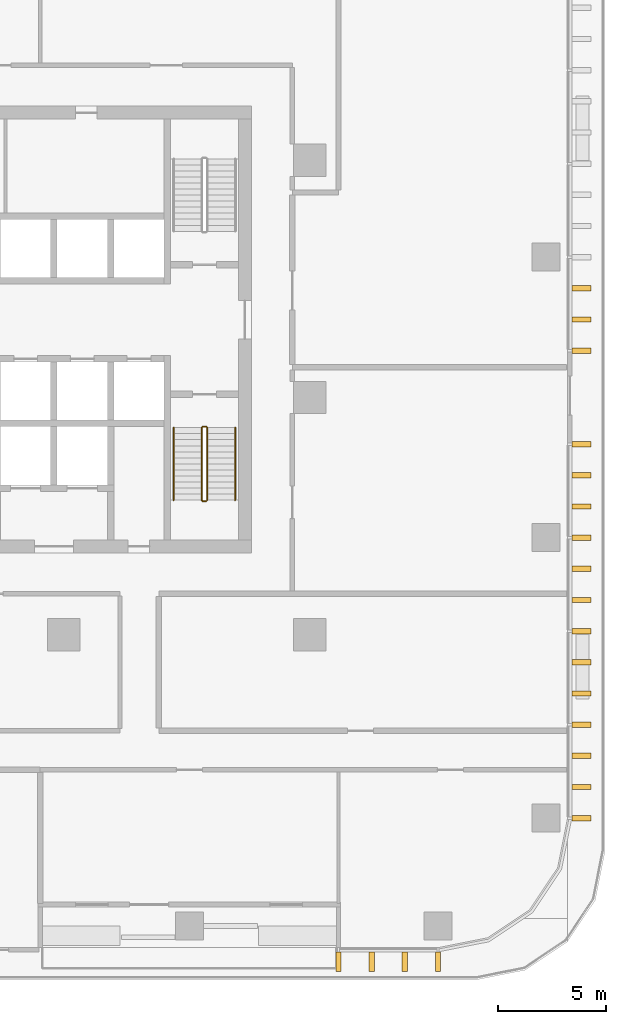
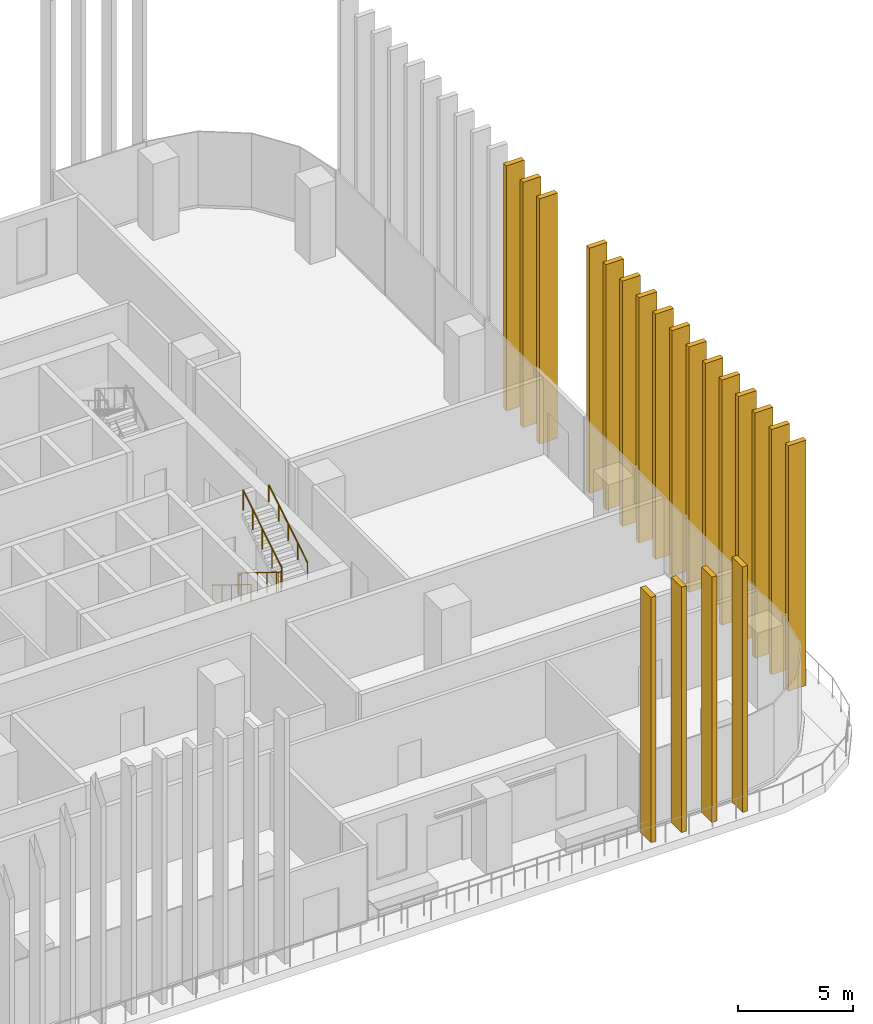
# One storey, part 15 of 18: 20 shading devices, 5 railings.
"""IFC4 building model written with IfcOpenShell, lengths in metres."""

from ifc_helpers import new_model, si_unit, direction, frame, origin, origin_2d, place, context, subcontext, project, spatial, rectangle, circle, extrude, material, type_object, element, save


model = new_model("IFC4")

# Units and contexts
model_context = context("Model", 3, precision=1e-05, world=origin(), true_north=direction((0.0, 1.0)))
body_context = subcontext(model_context, "Body", "Model", "MODEL_VIEW")
ifc_project = project(units=[si_unit("LENGTHUNIT", "METRE"), si_unit("AREAUNIT", "SQUARE_METRE"), si_unit("VOLUMEUNIT", "CUBIC_METRE"), si_unit("PLANEANGLEUNIT", "RADIAN"), si_unit("MASSUNIT", "GRAM", prefix="KILO")], contexts=[model_context])

# Site, building, storey
site_placement = place(None, origin())
site = spatial("IfcSite", under=ifc_project, at=site_placement, CompositionType="ELEMENT")
building_placement = place(site_placement, origin())
building = spatial("IfcBuilding", under=site, at=building_placement, Name="Mopane Tessera Tower", CompositionType="ELEMENT")
storey_placement = place(building_placement, frame((0.0, 0.0, 94.60009765625)))
storey = spatial("IfcBuildingStorey", under=building, at=storey_placement, Name="L18", CompositionType="ELEMENT", Elevation=94.60009765625)

# Shading devices
ifc_material_1 = material(Name="Glazed ceramic tile")
shading_device_type = type_object("IfcShadingDeviceType", Name="Ceramic tile fin 900 x 250 mm", PredefinedType="USERDEFINED", material=ifc_material_1)
for number, where, z_axis, x_axis, name in (
    (1, (18.43994140625, -26.14990234375, 0.0), (0.0, 0.0, 1.0), (1.0, 0.0, 0.0), "e:fin:L18:S:9:0"),
    (2, (19.9765625, -26.14990234375, 0.0), (0.0, 0.0, 1.0), (1.0, 0.0, 0.0), "e:fin:L18:S:9:1"),
    (3, (21.513427734375, -26.14990234375, 0.0), (0.0, 0.0, 1.0), (1.0, 0.0, 0.0), "e:fin:L18:S:9:2"),
    (4, (23.050048828125, -26.14990234375, 0.0), (0.0, 0.0, 1.0), (1.0, 0.0, 0.0), "e:fin:L18:S:9:3"),
    (5, (29.699951171875, -19.5, 0.0), (0.0, 0.0, 1.0), (0.0, 1.0, 0.0), "e:fin:L18:E:0:0"),
    (6, (29.699951171875, -18.0556640625, 0.0), (0.0, 0.0, 1.0), (0.0, 1.0, 0.0), "e:fin:L18:E:0:1"),
    (7, (29.699951171875, -16.611083984375, 0.0), (0.0, 0.0, 1.0), (0.0, 1.0, 0.0), "e:fin:L18:E:0:2"),
    (8, (29.699951171875, -15.166748046875, 0.0), (0.0, 0.0, 1.0), (0.0, 1.0, 0.0), "e:fin:L18:E:1:0"),
    (9, (29.699951171875, -13.72216796875, 0.0), (0.0, 0.0, 1.0), (0.0, 1.0, 0.0), "e:fin:L18:E:1:1"),
    (10, (29.699951171875, -12.27783203125, 0.0), (0.0, 0.0, 1.0), (0.0, 1.0, 0.0), "e:fin:L18:E:1:2"),
    (11, (29.699951171875, -10.833251953125, 0.0), (0.0, 0.0, 1.0), (0.0, 1.0, 0.0), "e:fin:L18:E:2:0"),
    (12, (29.699951171875, -9.388916015625, 0.0), (0.0, 0.0, 1.0), (0.0, 1.0, 0.0), "e:fin:L18:E:2:1"),
    (13, (29.699951171875, -7.9443359375, 0.0), (0.0, 0.0, 1.0), (0.0, 1.0, 0.0), "e:fin:L18:E:2:2"),
    (14, (29.699951171875, -6.5, 0.0), (0.0, 0.0, 1.0), (0.0, 1.0, 0.0), "e:fin:L18:E:3:0"),
    (15, (29.699951171875, -5.0556640625, 0.0), (0.0, 0.0, 1.0), (0.0, 1.0, 0.0), "e:fin:L18:E:3:1"),
    (16, (29.699951171875, -3.611083984375, 0.0), (0.0, 0.0, 1.0), (0.0, 1.0, 0.0), "e:fin:L18:E:3:2"),
    (17, (29.699951171875, -2.166748046875, 0.0), (0.0, 0.0, 1.0), (0.0, 1.0, 0.0), "e:fin:L18:E:3:3"),
    (18, (29.699951171875, 2.166748046875, 0.0), (0.0, 0.0, 1.0), (0.0, 1.0, 0.0), "e:fin:L18:E:5:0"),
    (19, (29.699951171875, 3.611083984375, 0.0), (0.0, 0.0, 1.0), (0.0, 1.0, 0.0), "e:fin:L18:E:5:1"),
    (20, (29.699951171875, 5.0556640625, 0.0), (0.0, 0.0, 1.0), (0.0, 1.0, 0.0), "e:fin:L18:E:5:2"),
):
    element("IfcShadingDevice", number, at=place(storey_placement, frame(where, z_axis=z_axis, x_axis=x_axis)), inside=storey, type_object=shading_device_type, Name=name, ObjectType="FIN", PredefinedType="USERDEFINED", context=body_context, shape_type="SweptSolid", body=[
        extrude(rectangle(XDim=0.25, YDim=0.89990234375, at=origin_2d()), origin(), (0.0, 0.0, 1.0), 13.050048828125),
    ])

# Railings
ifc_material_2 = material(Name="Powder-coated steel balustrade", Category="steel")
railing_type_1 = type_object("IfcRailingType", Name="Escape stair guard 1100 mm", PredefinedType="GUARDRAIL", material=ifc_material_2)
railing_1_placement = place(storey_placement, frame((12.10009765625, -1.39990234375, 0.173095703125)))
element("IfcRailing", 21, at=railing_1_placement, inside=storey, type_object=railing_type_1, Name="L18 ST3 stair guard 1", PredefinedType="GUARDRAIL", context=body_context, shape_type="SweptSolid", body=[
    extrude(circle(Radius=0.02392578125, at=origin_2d()), frame((0.0, 0.0, 1.076171875), z_axis=(0.0, -0.850623216509, 0.525775754039), x_axis=(1.0, 0.0, 0.0)), (0.0, 0.0, 1.0), 3.9501953125),
    extrude(circle(Radius=0.02392578125, at=origin_2d()), frame((0.0, -3.360107421875, 3.15283203125), z_axis=(0.705375805398, -0.708833529934, 0.0), x_axis=(0.708833529934, 0.705375805398, 0.0)), (0.0, 0.0, 1.0), 0.070556640625),
    extrude(circle(Radius=0.02392578125, at=origin_2d()), frame((0.0498046875, -3.41015625, 3.15283203125), z_axis=(1.0, 0.0, 0.0), x_axis=(0.0, 1.0, 0.0)), (0.0, 0.0, 1.0), 0.150146484375),
    extrude(circle(Radius=0.02099609375, at=origin_2d()), origin(), (0.0, 0.0, 1.0), 1.052001953125),
    extrude(circle(Radius=0.02099609375, at=origin_2d()), frame((0.0, -0.840087890625, 0.519287109375)), (0.0, 0.0, 1.0), 1.052001953125),
    extrude(circle(Radius=0.02099609375, at=origin_2d()), frame((0.0, -1.68017578125, 1.03857421875)), (0.0, 0.0, 1.0), 1.052001953125),
    extrude(circle(Radius=0.02099609375, at=origin_2d()), frame((0.0, -2.52001953125, 1.5576171875)), (0.0, 0.0, 1.0), 1.052001953125),
    extrude(circle(Radius=0.02099609375, at=origin_2d()), frame((0.0, -3.360107421875, 2.076904296875)), (0.0, 0.0, 1.0), 1.052001953125),
    extrude(circle(Radius=0.02099609375, at=origin_2d()), frame((0.0498046875, -3.41015625, 2.076904296875)), (0.0, 0.0, 1.0), 1.052001953125),
    extrude(circle(Radius=0.02099609375, at=origin_2d()), frame((0.199951171875, -3.41015625, 2.076904296875)), (0.0, 0.0, 1.0), 1.052001953125),
])
railing_2_placement = place(storey_placement, frame((12.35009765625, -4.760009765625, 2.423095703125)))
element("IfcRailing", 22, at=railing_2_placement, inside=storey, type_object=railing_type_1, Name="L18 ST3 stair guard 2", PredefinedType="GUARDRAIL", context=body_context, shape_type="SweptSolid", body=[
    extrude(circle(Radius=0.02392578125, at=origin_2d()), frame((0.0, 0.0, 1.076171875), z_axis=(0.0, 0.850623216509, 0.525775754039), x_axis=(-1.0, 0.0, 0.0)), (0.0, 0.0, 1.0), 3.9501953125),
    extrude(circle(Radius=0.02099609375, at=origin_2d()), origin(), (0.0, 0.0, 1.0), 1.052001953125),
    extrude(circle(Radius=0.02099609375, at=origin_2d()), frame((0.0, 0.840087890625, 0.519287109375)), (0.0, 0.0, 1.0), 1.052001953125),
    extrude(circle(Radius=0.02099609375, at=origin_2d()), frame((0.0, 1.68017578125, 1.03857421875)), (0.0, 0.0, 1.0), 1.052001953125),
    extrude(circle(Radius=0.02099609375, at=origin_2d()), frame((0.0, 2.52001953125, 1.5576171875)), (0.0, 0.0, 1.0), 1.052001953125),
    extrude(circle(Radius=0.02099609375, at=origin_2d()), frame((0.0, 3.360107421875, 2.076904296875)), (0.0, 0.0, 1.0), 1.052001953125),
])
railing_3_placement = place(storey_placement, frame((12.14990234375, -1.35009765625, 0.0)))
element("IfcRailing", 23, at=railing_3_placement, inside=storey, type_object=railing_type_1, Name="L18 ST3 stair guard 3", PredefinedType="GUARDRAIL", context=body_context, shape_type="SweptSolid", body=[
    extrude(circle(Radius=0.02392578125, at=origin_2d()), frame((0.0, 0.0, 1.076171875), z_axis=(1.0, 0.0, 0.0), x_axis=(0.0, 1.0, 0.0)), (0.0, 0.0, 1.0), 0.150146484375),
    extrude(circle(Radius=0.02099609375, at=origin_2d()), origin(), (0.0, 0.0, 1.0), 1.052001953125),
    extrude(circle(Radius=0.02099609375, at=origin_2d()), frame((0.150146484375, 0.0, 0.0)), (0.0, 0.0, 1.0), 1.052001953125),
])
ifc_material_3 = material(Name="Powder-coated steel balustrade", Category="steel")
railing_type_2 = type_object("IfcRailingType", Name="Escape stair handrail 900 mm", PredefinedType="HANDRAIL", material=ifc_material_3)
railing_4_placement = place(storey_placement, frame((10.800048828125, -1.39990234375, 0.173095703125)))
element("IfcRailing", 24, at=railing_4_placement, inside=storey, type_object=railing_type_2, Name="L18 ST3 stair handrail 1", PredefinedType="HANDRAIL", context=body_context, shape_type="SweptSolid", body=[
    extrude(circle(Radius=0.02392578125, at=origin_2d()), frame((0.0, 0.0, 0.8759765625), z_axis=(0.0, -0.850623216509, 0.525775754039), x_axis=(1.0, 0.0, 0.0)), (0.0, 0.0, 1.0), 3.9501953125),
    extrude(circle(Radius=0.02099609375, at=origin_2d()), origin(), (0.0, 0.0, 1.0), 0.851806640625),
    extrude(circle(Radius=0.02099609375, at=origin_2d()), frame((0.0, -0.840087890625, 0.519287109375)), (0.0, 0.0, 1.0), 0.851806640625),
    extrude(circle(Radius=0.02099609375, at=origin_2d()), frame((0.0, -1.68017578125, 1.03857421875)), (0.0, 0.0, 1.0), 0.851806640625),
    extrude(circle(Radius=0.02099609375, at=origin_2d()), frame((0.0, -2.52001953125, 1.5576171875)), (0.0, 0.0, 1.0), 0.851806640625),
    extrude(circle(Radius=0.02099609375, at=origin_2d()), frame((0.0, -3.360107421875, 2.076904296875)), (0.0, 0.0, 1.0), 0.851806640625),
])
railing_5_placement = place(storey_placement, frame((13.64990234375, -4.760009765625, 2.423095703125)))
element("IfcRailing", 25, at=railing_5_placement, inside=storey, type_object=railing_type_2, Name="L18 ST3 stair handrail 2", PredefinedType="HANDRAIL", context=body_context, shape_type="SweptSolid", body=[
    extrude(circle(Radius=0.02392578125, at=origin_2d()), frame((0.0, 0.0, 0.8759765625), z_axis=(0.0, 0.850623216509, 0.525775754039), x_axis=(-1.0, 0.0, 0.0)), (0.0, 0.0, 1.0), 3.9501953125),
    extrude(circle(Radius=0.02099609375, at=origin_2d()), origin(), (0.0, 0.0, 1.0), 0.851806640625),
    extrude(circle(Radius=0.02099609375, at=origin_2d()), frame((0.0, 0.840087890625, 0.519287109375)), (0.0, 0.0, 1.0), 0.851806640625),
    extrude(circle(Radius=0.02099609375, at=origin_2d()), frame((0.0, 1.68017578125, 1.03857421875)), (0.0, 0.0, 1.0), 0.851806640625),
    extrude(circle(Radius=0.02099609375, at=origin_2d()), frame((0.0, 2.52001953125, 1.5576171875)), (0.0, 0.0, 1.0), 0.851806640625),
    extrude(circle(Radius=0.02099609375, at=origin_2d()), frame((0.0, 3.360107421875, 2.076904296875)), (0.0, 0.0, 1.0), 0.851806640625),
])

save(model, "model.ifc")
